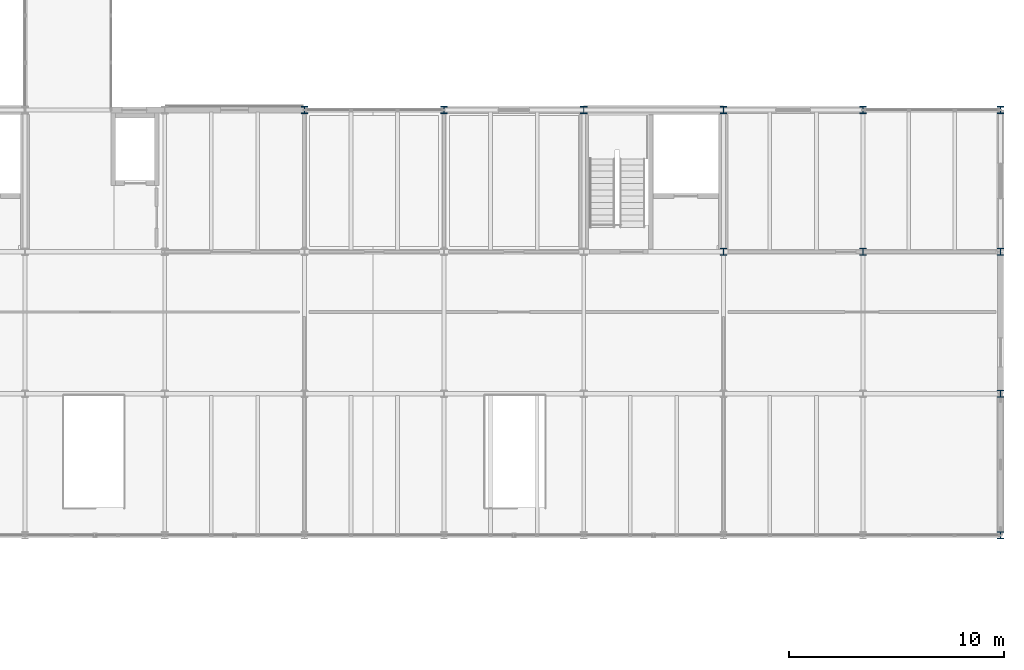
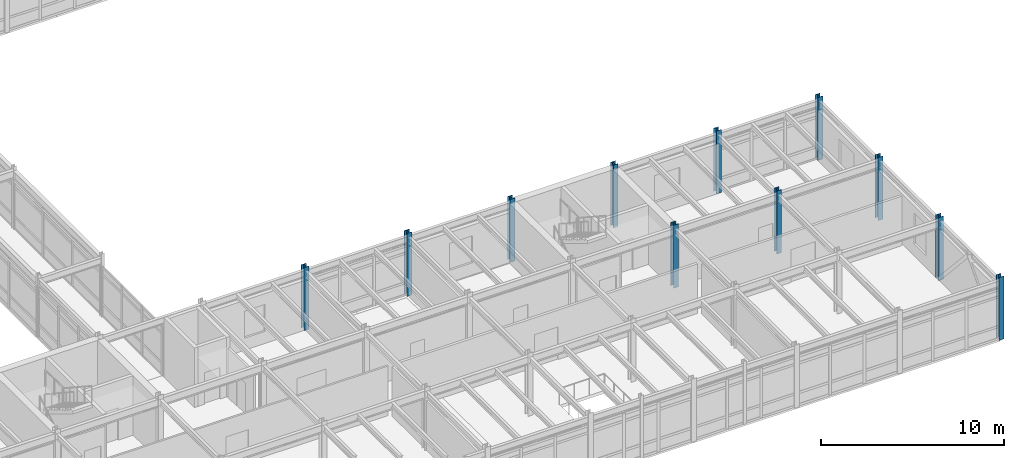
# One storey, part 18 of 144: 11 columns.
"""IFC4 building model written with IfcOpenShell, lengths in metres."""

from ifc_helpers import new_model, si_unit, direction, frame, origin, origin_2d, place, context, subcontext, project, spatial, i_section, extrude, material, material_profile, profile_set, type_object, element, save


model = new_model("IFC4")

# Units and contexts
model_context = context("Model", 3, precision=1e-05, world=origin(), true_north=direction((0.0, 1.0)))
body_context = subcontext(model_context, "Body", "Model", "MODEL_VIEW")
ifc_project = project(units=[si_unit("LENGTHUNIT", "METRE"), si_unit("AREAUNIT", "SQUARE_METRE"), si_unit("VOLUMEUNIT", "CUBIC_METRE"), si_unit("PLANEANGLEUNIT", "RADIAN"), si_unit("MASSUNIT", "GRAM", prefix="KILO")], contexts=[model_context])

# Site, building, storey
site_placement = place(None, origin())
site = spatial("IfcSite", under=ifc_project, at=site_placement, CompositionType="ELEMENT")
building_placement = place(site_placement, origin())
building = spatial("IfcBuilding", under=site, at=building_placement, Name="Trelmorton Wharf Fire Station", CompositionType="ELEMENT")
storey_placement = place(building_placement, frame((0.0, 0.0, 5.39990234375)))
storey = spatial("IfcBuildingStorey", under=building, at=storey_placement, Name="L01", CompositionType="ELEMENT", Elevation=5.39990234375)

# Columns
ifc_material = material(Name="Steel Grade 350", Category="steel")
ifc_material_profile = material_profile(ifc_material, i_section(OverallWidth=0.31103515625, OverallDepth=0.326904296875, WebThickness=0.015625, FlangeThickness=0.02490234375, FilletRadius=0.0166015625, at=origin_2d()), Name="310UC158")
ifc_profile_set = profile_set([ifc_material_profile], Name="Steel Grade 350")
column_type = type_object("IfcColumnType", Name="COL_310UC158", PredefinedType="COLUMN", material=ifc_profile_set)
for number, where, z_axis, x_axis, name in (
    (1, (130.0, 27.60009765625, 0.0), (0.0, 0.0, 1.0), (1.0, 0.0, 0.0), "COL-L01-0416"),
    (2, (136.5, 27.60009765625, 0.0), (0.0, 0.0, 1.0), (1.0, 0.0, 0.0), "COL-L01-0424"),
    (3, (143.0, 27.60009765625, 0.0), (0.0, 0.0, 1.0), (1.0, 0.0, 0.0), "COL-L01-0432"),
    (4, (149.5, 21.0, 0.0), (0.0, 0.0, 1.0), (1.0, 0.0, 0.0), "COL-L01-0439"),
    (5, (149.5, 27.60009765625, 0.0), (0.0, 0.0, 1.0), (1.0, 0.0, 0.0), "COL-L01-0440"),
    (6, (156.0, 21.0, 0.0), (0.0, 0.0, 1.0), (1.0, 0.0, 0.0), "COL-L01-0447"),
    (7, (156.0, 27.60009765625, 0.0), (0.0, 0.0, 1.0), (1.0, 0.0, 0.0), "COL-L01-0448"),
    (8, (162.39990234375, 7.800048828125, 0.0), (0.0, 0.0, 1.0), (1.0, 0.0, 0.0), "COL-L01-0453"),
    (9, (162.39990234375, 14.39990234375, 0.0), (0.0, 0.0, 1.0), (1.0, 0.0, 0.0), "COL-L01-0454"),
    (10, (162.39990234375, 21.0, 0.0), (0.0, 0.0, 1.0), (1.0, 0.0, 0.0), "COL-L01-0455"),
    (11, (162.39990234375, 27.60009765625, 0.0), (0.0, 0.0, 1.0), (1.0, 0.0, 0.0), "COL-L01-0456"),
):
    element("IfcColumn", number, at=place(storey_placement, frame(where, z_axis=z_axis, x_axis=x_axis)), inside=storey, type_object=column_type, Name=name, PredefinedType="COLUMN", context=body_context, shape_type="SweptSolid", body=[
        extrude(i_section(OverallWidth=0.31103515625, OverallDepth=0.326904296875, WebThickness=0.015625, FlangeThickness=0.02490234375, FilletRadius=0.0166015625, at=origin_2d()), origin(), (0.0, 0.0, 1.0), 4.2001953125),
    ])

save(model, "model.ifc")
